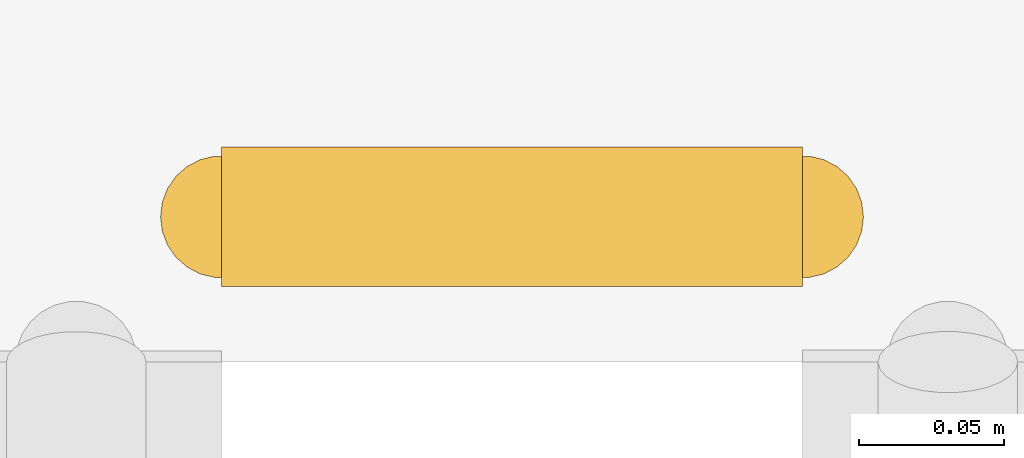
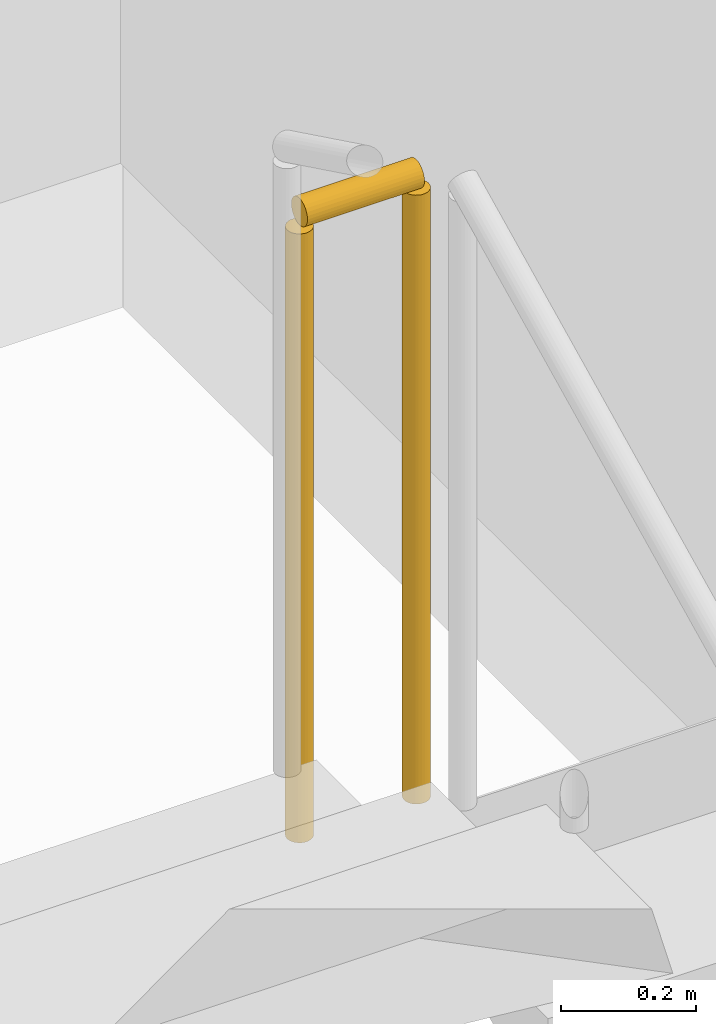
# One storey, part 34 of 35: 1 railing.
"""IFC4 building model written with IfcOpenShell, lengths in metres."""

from ifc_helpers import new_model, si_unit, direction, frame, origin, origin_2d, place, context, subcontext, project, spatial, circle, extrude, material, type_object, element, save


model = new_model("IFC4")

# Units and contexts
model_context = context("Model", 3, precision=1e-05, world=origin(), true_north=direction((0.0, 1.0)))
body_context = subcontext(model_context, "Body", "Model", "MODEL_VIEW")
ifc_project = project(units=[si_unit("LENGTHUNIT", "METRE"), si_unit("AREAUNIT", "SQUARE_METRE"), si_unit("VOLUMEUNIT", "CUBIC_METRE"), si_unit("PLANEANGLEUNIT", "RADIAN"), si_unit("MASSUNIT", "GRAM", prefix="KILO")], contexts=[model_context])

# Site, building, storey
site_placement = place(None, origin())
site = spatial("IfcSite", under=ifc_project, at=site_placement, CompositionType="ELEMENT")
building_placement = place(site_placement, origin())
building = spatial("IfcBuilding", under=site, at=building_placement, Name="Nahalor Promenade Grand Hotel", CompositionType="ELEMENT")
storey_placement = place(building_placement, frame((0.0, 0.0, 121.14990234375)))
storey = spatial("IfcBuildingStorey", under=building, at=storey_placement, Name="L30", CompositionType="ELEMENT", Elevation=121.14990234375)

# Railing
ifc_material = material(Name="Steel S355JR", Category="steel")
railing_type = type_object("IfcRailingType", Name="Steel Stair Guardrail 1150 mm", PredefinedType="GUARDRAIL", material=ifc_material)
railing_placement = place(storey_placement, frame((5.699951171875, 11.550048828125, 1.8251953125)))
element("IfcRailing", 1, at=railing_placement, inside=storey, type_object=railing_type, Name="L30 ST1 stair guard 2", PredefinedType="GUARDRAIL", context=body_context, shape_type="SweptSolid", body=[
    extrude(circle(Radius=0.024048, at=origin_2d()), frame((0.0, 0.0, 1.1259765625), z_axis=(-1.0, 0.0, 0.0), x_axis=(0.0, -1.0, 0.0)), (0.0, 0.0, 1.0), 0.199951171875),
    extrude(circle(Radius=0.020996, at=origin_2d()), origin(), (0.0, 0.0, 1.0), 1.099853515625),
    extrude(circle(Radius=0.020996, at=origin_2d()), frame((-0.199951171875, 0.0, 0.0)), (0.0, 0.0, 1.0), 1.099853515625),
])

save(model, "model.ifc")
